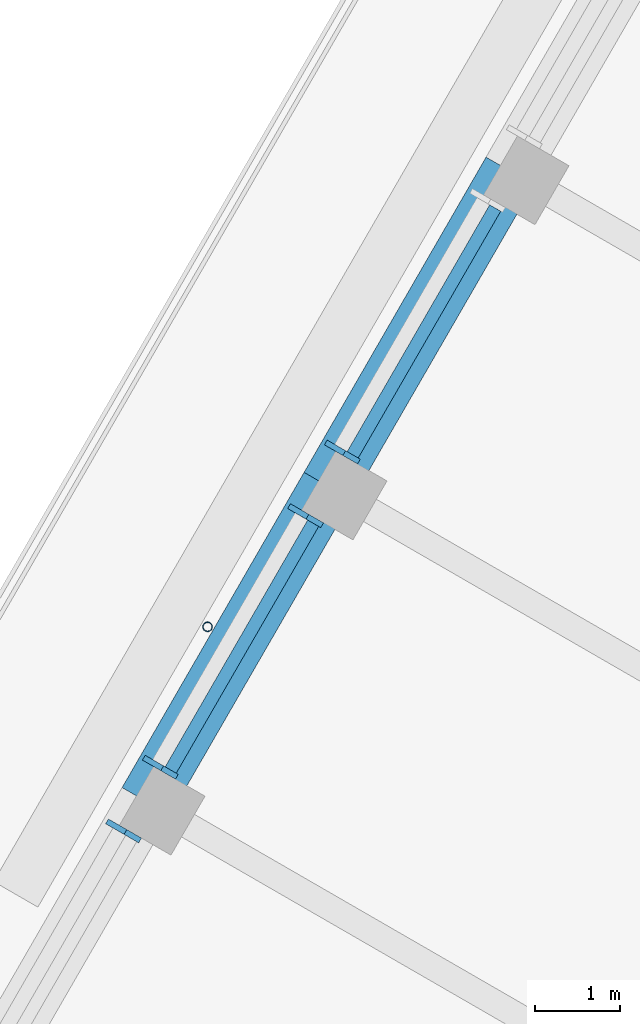
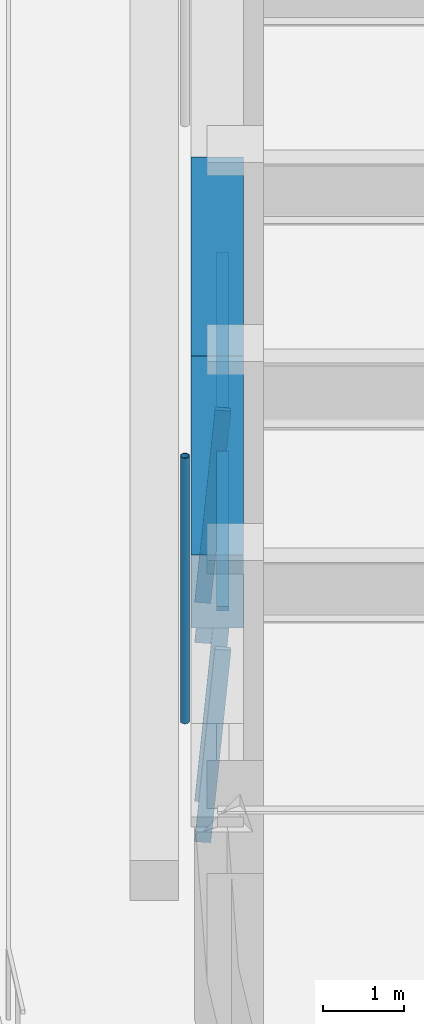
# One storey, part 6 of 19: 7 members, 2 beams, 3 elements without a shape of their own.
"""IFC4 building model written with IfcOpenShell, lengths in metres."""

from ifc_helpers import new_model, si_unit, direction, frame, origin, origin_2d, place, context, subcontext, project, spatial, rectangle, hollow_circle, extrude, material, material_profile, profile_set, type_object, element, aggregate, save


model = new_model("IFC4")

# Units and contexts
model_context = context("Model", 3, precision=1e-05, world=origin(), true_north=direction((0.0, 1.0)))
body_context = subcontext(model_context, "Body", "Model", "MODEL_VIEW")
ifc_project = project(units=[si_unit("LENGTHUNIT", "METRE"), si_unit("AREAUNIT", "SQUARE_METRE"), si_unit("VOLUMEUNIT", "CUBIC_METRE"), si_unit("PLANEANGLEUNIT", "RADIAN"), si_unit("MASSUNIT", "GRAM", prefix="KILO")], contexts=[model_context])

# Site, building, storey
site_placement = place(None, origin())
site = spatial("IfcSite", under=ifc_project, at=site_placement, CompositionType="ELEMENT")
building_placement = place(site_placement, origin())
building = spatial("IfcBuilding", under=site, at=building_placement, Name="Tarfa Lantern Tower", CompositionType="ELEMENT")
storey_placement = place(building_placement, frame((0.0, 0.0, 374.5)))
storey = spatial("IfcBuildingStorey", under=building, at=storey_placement, Name="L85", CompositionType="ELEMENT", Elevation=374.5)

# Curtain wall, member
ifc_material_1 = material(Name="Aluminium framed curtain wall", Category="aluminium")
curtain_wall_type = type_object("IfcCurtainWallType", Name="CW4 CANTED GLAZING EXECUTIVE ZONE 2900", PredefinedType="USERDEFINED", material=ifc_material_1)
curtain_wall_1_placement = place(storey_placement, origin())
curtain_wall_1 = element("IfcCurtainWall", 1, at=curtain_wall_1_placement, inside=storey, type_object=curtain_wall_type, Name="CW4 NW L85", ObjectType="CURTAIN WALL", PredefinedType="USERDEFINED")
ifc_material_2 = material(Name="Aluminium mullion", Category="aluminium")
ifc_material_profile_1 = material_profile(ifc_material_2, rectangle(XDim=0.06494140625, YDim=0.199951171875, at=origin_2d()), Name="AL MULLION 65x200")
ifc_profile_set_1 = profile_set([ifc_material_profile_1], Name="Aluminium mullion")
member_type_1 = type_object("IfcMemberType", Name="CWM1 MULLION 65x200", PredefinedType="MULLION", material=ifc_profile_set_1)
member_1_placement = place(storey_placement, frame((-25.00439453125, 9.9912109375, 0.0), z_axis=(0.074399820079, -0.042945555672, 0.996303340364), x_axis=(0.499919672301, 0.866071776036, 0.0)))
member_1 = element("IfcMember", 2, at=member_1_placement, type_object=member_type_1, Name="CW4 mullion 2", PredefinedType="MULLION", context=body_context, shape_type="SweptSolid", body=[
    extrude(rectangle(XDim=0.06494140625, YDim=0.199951171875, at=origin_2d()), origin(), (0.0, 0.0, 1.0), 2.91064453125),
])

# Curtain wall, members
curtain_wall_2_placement = place(storey_placement, origin())
curtain_wall_2 = element("IfcCurtainWall", 3, at=curtain_wall_2_placement, inside=storey, type_object=curtain_wall_type, Name="CW4 NW L85", ObjectType="CURTAIN WALL", PredefinedType="USERDEFINED")
member_2_placement = place(storey_placement, frame((-25.436767578125, 9.2421875, 0.0), z_axis=(0.074399820079, -0.042945555672, 0.996303340364), x_axis=(0.499919672301, 0.866071776036, 0.0)))
member_2 = element("IfcMember", 4, at=member_2_placement, type_object=member_type_1, Name="CW4 mullion 1", PredefinedType="MULLION", context=body_context, shape_type="SweptSolid", body=[
    extrude(rectangle(XDim=0.06494140625, YDim=0.199951171875, at=origin_2d()), origin(), (0.0, 0.0, 1.0), 2.91064453125),
])
member_3_placement = place(storey_placement, frame((-27.145263671875, 6.282958984375, 0.0), z_axis=(0.074316405553, -0.042945823525, 0.996309554359), x_axis=(0.500342721131, 0.865827443207, 0.0)))
member_3 = element("IfcMember", 5, at=member_3_placement, type_object=member_type_1, Name="CW4 mullion 2", PredefinedType="MULLION", context=body_context, shape_type="SweptSolid", body=[
    extrude(rectangle(XDim=0.06494140625, YDim=0.199951171875, at=origin_2d()), origin(), (0.0, 0.0, 1.0), 2.91064453125),
])

# Curtain wall, member
curtain_wall_3_placement = place(storey_placement, origin())
curtain_wall_3 = element("IfcCurtainWall", 6, at=curtain_wall_3_placement, inside=storey, type_object=curtain_wall_type, Name="CW4 NW L85", ObjectType="CURTAIN WALL", PredefinedType="USERDEFINED")
member_4_placement = place(storey_placement, frame((-27.577880859375, 5.53369140625, 0.0), z_axis=(0.074399820079, -0.042945555672, 0.996303340364), x_axis=(0.499919672301, 0.866071776036, 0.0)))
member_4 = element("IfcMember", 7, at=member_4_placement, type_object=member_type_1, Name="CW4 mullion 1", PredefinedType="MULLION", context=body_context, shape_type="SweptSolid", body=[
    extrude(rectangle(XDim=0.06494140625, YDim=0.199951171875, at=origin_2d()), origin(), (0.0, 0.0, 1.0), 2.91064453125),
])
aggregate(curtain_wall_3, [member_4])

# Member
ifc_material_3 = material(Name="Aluminium transom", Category="aluminium")
ifc_material_profile_2 = material_profile(ifc_material_3, rectangle(XDim=0.14990234375, YDim=0.06494140625, at=origin_2d()), Name="AL TRANSOM 150x65")
ifc_profile_set_2 = profile_set([ifc_material_profile_2], Name="Aluminium transom")
member_type_2 = type_object("IfcMemberType", Name="CWT1 TRANSOM 150x65", PredefinedType="USERDEFINED", material=ifc_profile_set_2)
member_5_placement = place(storey_placement, frame((-23.097900390625, 12.798583984375, 2.867431640625), z_axis=(-0.500016677412, -0.866015774862, 0.0), x_axis=(0.866015774862, -0.500016677412, 0.0)))
member_5 = element("IfcMember", 8, at=member_5_placement, type_object=member_type_2, Name="CW4 transom 1.2", ObjectType="TRANSOM", PredefinedType="USERDEFINED", context=body_context, shape_type="SweptSolid", body=[
    extrude(rectangle(XDim=0.14990234375, YDim=0.06494140625, at=origin_2d()), origin(), (0.0, 0.0, 1.0), 3.35205078125),
])

aggregate(curtain_wall_1, [member_1, member_5])

member_6_placement = place(storey_placement, frame((-25.239013671875, 9.09033203125, 2.867431640625), z_axis=(-0.500016677412, -0.866015774862, 0.0), x_axis=(0.866015774862, -0.500016677412, 0.0)))
member_6 = element("IfcMember", 9, at=member_6_placement, type_object=member_type_2, Name="CW4 transom 1.2", ObjectType="TRANSOM", PredefinedType="USERDEFINED", context=body_context, shape_type="SweptSolid", body=[
    extrude(rectangle(XDim=0.14990234375, YDim=0.06494140625, at=origin_2d()), origin(), (0.0, 0.0, 1.0), 3.35205078125),
])

aggregate(curtain_wall_2, [member_2, member_3, member_6])

# Beams
ifc_material_4 = material(Name="Concrete C80/95", Category="concrete")
ifc_material_profile_3 = material_profile(ifc_material_4, rectangle(XDim=0.64990234375, YDim=1.10009765625, at=origin_2d()), Name="RC 650x1100")
ifc_profile_set_3 = profile_set([ifc_material_profile_3], Name="Concrete C80/95")
beam_type = type_object("IfcBeamType", Name="EB4 RC 650x1100", PredefinedType="SPANDREL", material=ifc_profile_set_3)
beam_1_placement = place(storey_placement, frame((-22.923583984375, 13.235107421875, 3.449951171875), z_axis=(-0.500002112793, -0.866024183959, 0.0), x_axis=(0.866024183959, -0.500002112793, 0.0)))
element("IfcBeam", 10, at=beam_1_placement, inside=storey, type_object=beam_type, Name="Edge beam NW3", PredefinedType="SPANDREL", context=body_context, shape_type="SweptSolid", body=[
    extrude(rectangle(XDim=0.64990234375, YDim=1.10009765625, at=origin_2d()), origin(), (0.0, 0.0, 1.0), 4.2822265625),
])
beam_2_placement = place(storey_placement, frame((-25.064697265625, 9.526611328125, 3.449951171875), z_axis=(-0.500026801138, -0.866009929587, 0.0), x_axis=(0.866009929587, -0.500026801138, 0.0)))
element("IfcBeam", 11, at=beam_2_placement, inside=storey, type_object=beam_type, Name="Edge beam NW4", PredefinedType="SPANDREL", context=body_context, shape_type="SweptSolid", body=[
    extrude(rectangle(XDim=0.64990234375, YDim=1.10009765625, at=origin_2d()), origin(), (0.0, 0.0, 1.0), 4.281982421875),
])

# Member
ifc_material_5 = material(Name="Steel S355", Category="steel")
ifc_material_profile_4 = material_profile(ifc_material_5, hollow_circle(Radius=0.05712890625, WallThickness=0.00634765625, at=origin_2d()), Name="CHS114.3x6.3")
ifc_profile_set_4 = profile_set([ifc_material_profile_4], Name="Steel S355")
member_type_3 = type_object("IfcMemberType", Name="TR1 GREEN WALL TRELLIS CHS114.3x6.3", PredefinedType="USERDEFINED", material=ifc_profile_set_4)
member_7_placement = place(storey_placement, frame((-26.481689453125, 7.87255859375, 0.0), z_axis=(0.0, 0.0, 1.0), x_axis=(1.0, 0.0, 0.0)))
element("IfcMember", 12, at=member_7_placement, inside=storey, type_object=member_type_3, Name="Trellis post NW 2", ObjectType="TRELLIS", PredefinedType="USERDEFINED", context=body_context, shape_type="SweptSolid", body=[
    extrude(hollow_circle(Radius=0.05712890625, WallThickness=0.00634765625, at=origin_2d()), origin(), (0.0, 0.0, 1.0), 4.0),
])

save(model, "model.ifc")
